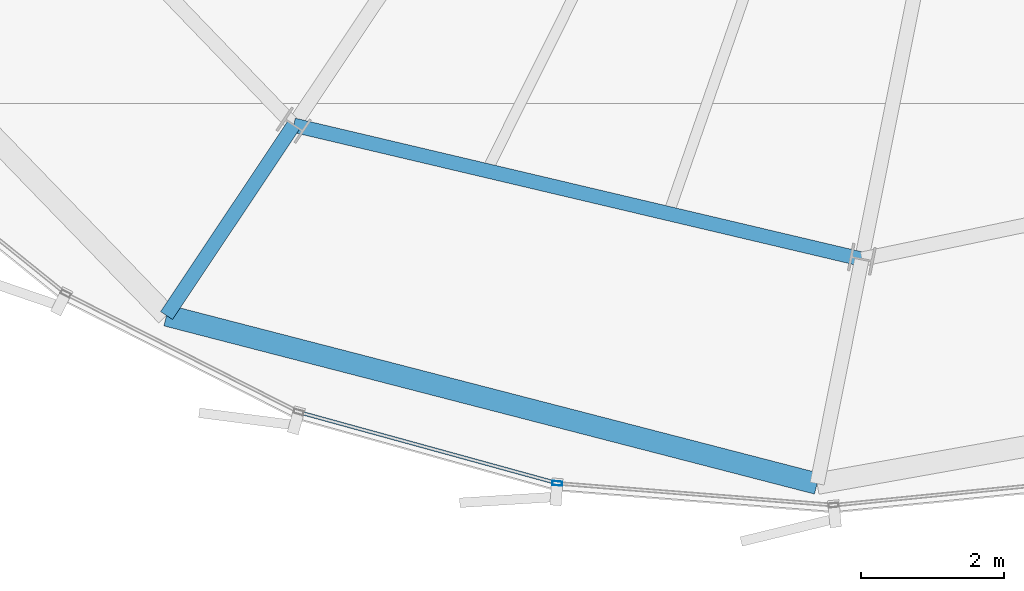
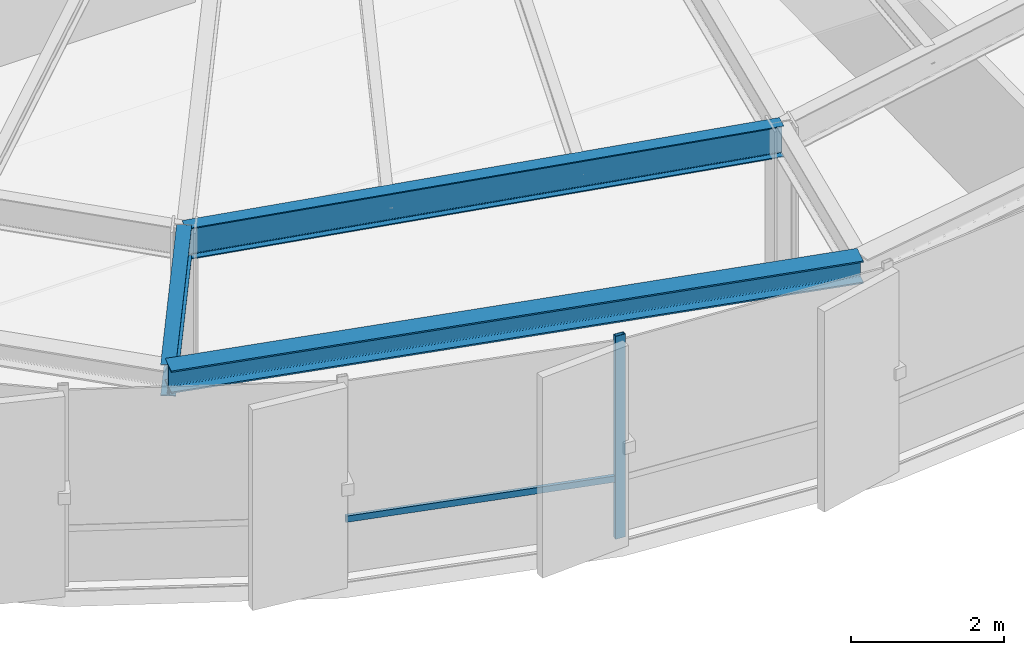
# One storey, part 3 of 34: 3 beams, 2 members, 1 element without a shape of its own.
"""IFC4 building model written with IfcOpenShell, lengths in metres."""

import ifcopenshell
import ifcopenshell.guid

model = None  # the IFC model being written
_history = None  # IfcOwnerHistory: only IFC2X3 demands one
_inside = {}  # id of a spatial element -> (the spatial element, [elements in it])
_under = {}  # id of a project, library or spatial element -> (it, [spatial elements below it])
_declared = {}  # id of a project -> (the project, [libraries it declares])
_typed = {}  # id of a type object -> (the type object, [elements of that type])
_made_of = {}  # id of a material, layer set ... -> (it, [elements and type objects made of it])


def new_model(schema):
    """Start an empty IFC model of exactly this schema.

    Asked for "IFC4X3", IfcOpenShell would pick the latest addendum, in which some entities
    have other attributes; the version numbers below select the first issue.
    IFC2X3 requires an IfcOwnerHistory on every rooted entity: one is made here for all.
    """
    global model, _history
    if schema == "IFC4X3":
        model = ifcopenshell.file(schema_version=(4, 3, 0, 0))
    else:
        model = ifcopenshell.file(schema=schema)
    _inside.clear()
    _under.clear()
    _declared.clear()
    _typed.clear()
    _made_of.clear()
    _history = None
    if model.schema == "IFC2X3":
        org = make("IfcOrganization", Name="unknown")
        user = make(
            "IfcPersonAndOrganization",
            ThePerson=make("IfcPerson", FamilyName="unknown"),
            TheOrganization=org,
        )
        app = make(
            "IfcApplication",
            ApplicationDeveloper=org,
            Version="unknown",
            ApplicationFullName="unknown",
            ApplicationIdentifier="unknown",
        )
        _history = make(
            "IfcOwnerHistory",
            OwningUser=user,
            OwningApplication=app,
            ChangeAction="ADDED",
            CreationDate=0,
        )
    return model


def make(cls, **values):
    """One entity of the class cls with the attributes given. An attribute that is None is left unset."""
    return model.create_entity(
        cls, **{name: value for name, value in values.items() if value is not None}
    )


def rooted(cls, **values):
    """An entity with a GlobalId (a new one), such as an element, a storey or a relation."""
    return make(cls, GlobalId=ifcopenshell.guid.new(), OwnerHistory=_history, **values)


def si_unit(unit_type, name, prefix=None):
    """IfcSIUnit, for example si_unit("LENGTHUNIT", "METRE", prefix="MILLI")."""
    return make("IfcSIUnit", UnitType=unit_type, Prefix=prefix, Name=name)


def assignment(units):
    """IfcUnitAssignment: the units of a project."""
    return None if units is None else make("IfcUnitAssignment", Units=units)


def point(xyz):
    """IfcCartesianPoint."""
    return None if xyz is None else make("IfcCartesianPoint", Coordinates=xyz)


def direction(xyz):
    """IfcDirection."""
    return None if xyz is None else make("IfcDirection", DirectionRatios=xyz)


def frame(location, z_axis=None, x_axis=None):
    """IfcAxis2Placement3D, a coordinate frame: its origin and axes. An axis left out is left unset."""
    return make(
        "IfcAxis2Placement3D",
        Location=point(location),
        Axis=direction(z_axis),
        RefDirection=direction(x_axis),
    )


def frame_2d(location, x_axis=None):
    """IfcAxis2Placement2D, a coordinate frame in the plane: its origin and x axis."""
    return make(
        "IfcAxis2Placement2D", Location=point(location), RefDirection=direction(x_axis)
    )


def origin():
    """The frame at (0, 0, 0) with its axes left unset."""
    return frame((0.0, 0.0, 0.0))


def origin_2d():
    """The frame at (0, 0) in the plane with its x axis left unset."""
    return frame_2d((0.0, 0.0))


def place(relative_to, where):
    """IfcLocalPlacement: puts the frame where relative to a parent placement (None: the world)."""
    return make(
        "IfcLocalPlacement", PlacementRelTo=relative_to, RelativePlacement=where
    )


def context(
    kind, dimensions, precision=None, world=None, true_north=None, identifier=None
):
    """IfcGeometricRepresentationContext, for example the 3D "Model" context."""
    return make(
        "IfcGeometricRepresentationContext",
        ContextIdentifier=identifier,
        ContextType=kind,
        CoordinateSpaceDimension=dimensions,
        Precision=precision,
        WorldCoordinateSystem=world,
        TrueNorth=true_north,
    )


def subcontext(parent, identifier, kind, view, scale=None):
    """IfcGeometricRepresentationSubContext, for example "Body" below "Model"."""
    return make(
        "IfcGeometricRepresentationSubContext",
        ContextIdentifier=identifier,
        ContextType=kind,
        ParentContext=parent,
        TargetScale=scale,
        TargetView=view,
    )


def project(units=None, contexts=None):
    """IfcProject with its units and contexts."""
    return rooted(
        "IfcProject",
        Name="project",
        RepresentationContexts=contexts,
        UnitsInContext=assignment(units),
    )


def spatial(cls, under=None, at=None, **own):
    """A site, building, storey or space (cls), placed at a placement, below another one or the project."""
    s = rooted(cls, ObjectPlacement=at, **own)
    if under is not None:
        _under.setdefault(under.id(), (under, []))[1].append(s)
    return s


def profile(cls, at=None, kind="AREA", **sizes):
    """A parametric profile (cls). Its sizes go by their IFC names, for example OverallWidth=200.0."""
    return make(cls, ProfileType=kind, Position=at, **sizes)


def hollow_rectangle(**sizes):
    """IfcRectangleHollowProfileDef."""
    return profile("IfcRectangleHollowProfileDef", **sizes)


def i_section(**sizes):
    """IfcIShapeProfileDef."""
    return profile("IfcIShapeProfileDef", **sizes)


def extrude(swept, where, along, depth):
    """IfcExtrudedAreaSolid: the profile swept, set in the frame where, extruded along a direction by depth."""
    return make(
        "IfcExtrudedAreaSolid",
        SweptArea=swept,
        Position=where,
        ExtrudedDirection=direction(along),
        Depth=depth,
    )


def shape(context_of_items, identifier, shape_type, items):
    """IfcShapeRepresentation: the items that make up one representation, for example the "Body"."""
    return make(
        "IfcShapeRepresentation",
        ContextOfItems=context_of_items,
        RepresentationIdentifier=identifier,
        RepresentationType=shape_type,
        Items=items,
    )


def source(mapping_origin, context_of_items, identifier, shape_type, items):
    """IfcRepresentationMap: a shape defined once, which mapped items show again and again."""
    return make(
        "IfcRepresentationMap",
        MappingOrigin=mapping_origin,
        MappedRepresentation=shape(context_of_items, identifier, shape_type, items),
    )


def transform(
    local_origin,
    x_axis=None,
    y_axis=None,
    z_axis=None,
    scale=None,
    scale2=None,
    scale3=None,
    uniform=True,
):
    """IfcCartesianTransformationOperator3D, or its non-uniform kind. x_axis, y_axis, z_axis: its Axis1, 2, 3."""
    if uniform:
        return make(
            "IfcCartesianTransformationOperator3D",
            Axis1=direction(x_axis),
            Axis2=direction(y_axis),
            LocalOrigin=point(local_origin),
            Scale=scale,
            Axis3=direction(z_axis),
        )
    return make(
        "IfcCartesianTransformationOperator3DnonUniform",
        Axis1=direction(x_axis),
        Axis2=direction(y_axis),
        LocalOrigin=point(local_origin),
        Scale=scale,
        Axis3=direction(z_axis),
        Scale2=scale2,
        Scale3=scale3,
    )


def mapped(mapping_source, mapping_target):
    """IfcMappedItem: shows the shape of a source again, moved by a transform."""
    return make(
        "IfcMappedItem", MappingSource=mapping_source, MappingTarget=mapping_target
    )


def material(Name=None, Category=None):
    """IfcMaterial."""
    return make("IfcMaterial", Name=Name, Category=Category)


def layer(
    of_material, thickness, ventilated=None, Name=None, Category=None, Priority=None
):
    """IfcMaterialLayer: one layer of a wall or slab, of a material (None: an air gap)."""
    return make(
        "IfcMaterialLayer",
        Material=of_material,
        LayerThickness=thickness,
        IsVentilated=ventilated,
        Name=Name,
        Category=Category,
        Priority=Priority,
    )


def layer_set(layers, Name=None):
    """IfcMaterialLayerSet."""
    return make("IfcMaterialLayerSet", MaterialLayers=layers, LayerSetName=Name)


def material_profile(
    of_material, cross_section, Name=None, Category=None, Priority=None
):
    """IfcMaterialProfile: a cross section and its material."""
    return make(
        "IfcMaterialProfile",
        Name=Name,
        Material=of_material,
        Profile=cross_section,
        Priority=Priority,
        Category=Category,
    )


def profile_set(profiles, Name=None, composite=None):
    """IfcMaterialProfileSet."""
    return make(
        "IfcMaterialProfileSet",
        Name=Name,
        MaterialProfiles=profiles,
        CompositeProfile=composite,
    )


def made_of(thing, what):
    """Note that an element or type object is made of a material, layer set ...; save() writes the relation."""
    if what is not None:
        _made_of.setdefault(what.id(), (what, []))[1].append(thing)
    return thing


def type_object(cls, material=None, **own):
    """A type object (cls), such as IfcWallType, which elements share."""
    return made_of(rooted(cls, **own), material)


def element(
    cls,
    number,
    at=None,
    inside=None,
    cuts=None,
    type_object=None,
    material=None,
    context=None,
    identifier="Body",
    shape_type=None,
    held_by="IfcProductDefinitionShape",
    body=None,
    shapes=None,
    **own,
):
    """One element of the class cls, such as IfcWall. Its Tag is "e" and its number.

    at: its placement. inside: the storey or other place that contains it. cuts: it is an
    opening in that element (IfcRelVoidsElement). A single representation is given by context,
    identifier, shape_type and body (its items); several are given by shapes. held_by: the class
    of the entity that holds the representations. save() writes the other relations.
    """
    e = rooted(cls, Tag="e%d" % number, ObjectPlacement=at, **own)
    if body is not None:
        shapes = [shape(context, identifier, shape_type, body)]
    if shapes is not None:
        e.Representation = make(held_by, Representations=shapes)
    if inside is not None:
        _inside.setdefault(inside.id(), (inside, []))[1].append(e)
    if cuts is not None:
        rooted(
            "IfcRelVoidsElement", RelatingBuildingElement=cuts, RelatedOpeningElement=e
        )
    if type_object is not None:
        _typed.setdefault(type_object.id(), (type_object, []))[1].append(e)
    return made_of(e, material)


def aggregate(whole, parts):
    """IfcRelAggregates: a whole, such as a stair, and the parts it consists of."""
    return rooted("IfcRelAggregates", RelatingObject=whole, RelatedObjects=parts)


def save(model, path):
    """Write the relations noted so far, then the file.

    IfcRelAggregates (storeys below a building ...), IfcRelContainedInSpatialStructure (elements
    in a storey), IfcRelDefinesByType, IfcRelAssociatesMaterial and IfcRelDeclares: one each for
    every whole, place, type object, material and project.
    """
    for whole, parts in _under.values():
        aggregate(whole, parts)
    for where, things in _inside.values():
        rooted(
            "IfcRelContainedInSpatialStructure",
            RelatedElements=things,
            RelatingStructure=where,
        )
    for kind, things in _typed.values():
        rooted("IfcRelDefinesByType", RelatedObjects=things, RelatingType=kind)
    for what, things in _made_of.values():
        rooted("IfcRelAssociatesMaterial", RelatedObjects=things, RelatingMaterial=what)
    for by, libraries in _declared.values():
        rooted("IfcRelDeclares", RelatingContext=by, RelatedDefinitions=libraries)
    model.write(path)


model = new_model("IFC4")

# Units and contexts
model_context = context("Model", 3, precision=1e-05, world=origin(), true_north=direction((0.0, 1.0)))
body_context = subcontext(model_context, "Body", "Model", "MODEL_VIEW")
ifc_project = project(units=[si_unit("LENGTHUNIT", "METRE"), si_unit("AREAUNIT", "SQUARE_METRE"), si_unit("VOLUMEUNIT", "CUBIC_METRE"), si_unit("PLANEANGLEUNIT", "RADIAN"), si_unit("MASSUNIT", "GRAM", prefix="KILO"), si_unit("THERMODYNAMICTEMPERATUREUNIT", "KELVIN")], contexts=[model_context])

# Site, building, storey
site_placement = place(None, origin())
site = spatial("IfcSite", under=ifc_project, at=site_placement, CompositionType="ELEMENT")
building_placement = place(site_placement, origin())
building = spatial("IfcBuilding", under=site, at=building_placement, Name="Kethvar Cultural Tower", CompositionType="ELEMENT")
storey_placement = place(building_placement, frame((0.0, 0.0, 214.89990234375)))
storey = spatial("IfcBuildingStorey", under=building, at=storey_placement, Name="L56", CompositionType="ELEMENT", Elevation=214.89990234375)

# Beams
ifc_material_1 = material(Name="Steel S355J2", Category="steel")
ifc_material_profile_1 = material_profile(ifc_material_1, i_section(OverallWidth=0.199951171875, OverallDepth=0.5, WebThickness=0.01025390625, FlangeThickness=0.01611328125, FilletRadius=0.02099609375, at=origin_2d()), Name="Steel S355J2 — IPE500")
ifc_profile_set_1 = profile_set([ifc_material_profile_1], Name="Steel S355J2 — IPE500")
beam_type_1 = type_object("IfcBeamType", Name="BM-IPE500", PredefinedType="BEAM", material=ifc_profile_set_1)
shared_shape_1 = source(origin(), body_context, "Body", "SweptSolid", [
    extrude(i_section(OverallWidth=0.199951171875, OverallDepth=0.5, WebThickness=0.01025390625, FlangeThickness=0.01611328125, FilletRadius=0.02099609375, at=origin_2d()), origin(), (0.0, 0.0, 1.0), 3.199951171875),
])
beam_1_placement = place(storey_placement, frame((34.962646484375, 10.084228515625, 2.988037109375), z_axis=(-0.555580212716, -0.831462943996, 0.0), x_axis=(0.831462943996, -0.555580212716, 0.0)))
element("IfcBeam", 1, at=beam_1_placement, inside=storey, type_object=beam_type_1, Name="L56 Perimeter Cantilever Beam RC-11", PredefinedType="BEAM", context=body_context, shape_type="MappedRepresentation", body=[
    mapped(shared_shape_1, transform((0.0, 0.0, 0.0), scale=1.0)),
])
shared_shape_2 = source(origin(), body_context, "Body", "SweptSolid", [
    extrude(i_section(OverallWidth=0.199951171875, OverallDepth=0.5, WebThickness=0.01025390625, FlangeThickness=0.01611328125, FilletRadius=0.02099609375, at=origin_2d()), origin(), (0.0, 0.0, 1.0), 8.158935546875),
])
beam_2_placement = place(storey_placement, frame((34.962646484375, 10.084228515625, 2.988037109375), z_axis=(0.973284754953, -0.229601362748, 0.0), x_axis=(0.229601362748, 0.973284754953, 0.0)))
element("IfcBeam", 2, at=beam_2_placement, inside=storey, type_object=beam_type_1, Name="L56 Column Ring Tie Beam CR-11", PredefinedType="BEAM", context=body_context, shape_type="MappedRepresentation", body=[
    mapped(shared_shape_2, transform((0.0, 0.0, 0.0), scale=1.0)),
])
ifc_material_profile_2 = material_profile(ifc_material_1, i_section(OverallWidth=0.300048828125, OverallDepth=0.360107421875, WebThickness=0.012451171875, FlangeThickness=0.0224609375, FilletRadius=0.027099609375, at=origin_2d()), Name="Steel S355J2 — HEB360")
ifc_profile_set_2 = profile_set([ifc_material_profile_2], Name="Steel S355J2 — HEB360")
beam_type_2 = type_object("IfcBeamType", Name="BM-SP360", PredefinedType="SPANDREL", material=ifc_profile_set_2)
shared_shape_3 = source(origin(), body_context, "Body", "SweptSolid", [
    extrude(i_section(OverallWidth=0.300048828125, OverallDepth=0.360107421875, WebThickness=0.012451171875, FlangeThickness=0.0224609375, FilletRadius=0.027099609375, at=origin_2d()), origin(), (0.0, 0.0, 1.0), 9.3935546875),
])
beam_3_placement = place(storey_placement, frame((33.184814453125, 7.423583984375, 3.05810546875), z_axis=(0.968171347754, -0.250288316525, 0.0), x_axis=(0.250288316525, 0.968171347754, 0.0)))
element("IfcBeam", 3, at=beam_3_placement, inside=storey, type_object=beam_type_2, Name="L56 Perimeter Spandrel Beam SP-11", PredefinedType="SPANDREL", context=body_context, shape_type="MappedRepresentation", body=[
    mapped(shared_shape_3, transform((0.0, 0.0, 0.0), scale=1.0)),
])

# Curtain wall, members
ifc_material_2 = material(Name="Aluminium 6063-T6", Category="aluminium")
ifc_layer = layer(ifc_material_2, 0.179931640625, Name="Aluminium 6063-T6", Category="aluminium")
ifc_layer_set = layer_set([ifc_layer], Name="Aluminium 6063-T6 (180 mm)")
curtain_wall_type = type_object("IfcCurtainWallType", Name="CW-SYS-04-Z34", PredefinedType="NOTDEFINED", material=ifc_layer_set)
curtain_wall_placement = place(storey_placement, origin())
curtain_wall = element("IfcCurtainWall", 4, at=curtain_wall_placement, inside=storey, type_object=curtain_wall_type, Name="L56 Curtain Wall Run 04", PredefinedType="NOTDEFINED")
ifc_material_profile_3 = material_profile(ifc_material_2, hollow_rectangle(XDim=0.06005859375, YDim=0.139892578125, WallThickness=0.0048828125, at=origin_2d()), Name="Aluminium 6063-T6 — RHS140x60x5")
ifc_profile_set_3 = profile_set([ifc_material_profile_3], Name="Aluminium 6063-T6 — RHS140x60x5")
member_type_1 = type_object("IfcMemberType", Name="CW-SYS-04-Z34-MUL", PredefinedType="MULLION", material=ifc_profile_set_3)
shared_shape_4 = source(origin(), body_context, "Body", "SweptSolid", [
    extrude(hollow_rectangle(XDim=0.06005859375, YDim=0.139892578125, WallThickness=0.0048828125, at=origin_2d()), origin(), (0.0, 0.0, 1.0), 3.239990234375),
])
member_1_placement = place(storey_placement, frame((38.64599609375, 5.077392578125, 0.0), z_axis=(0.0, 0.0, 1.0), x_axis=(0.0784242967, 0.996920071865, 0.0)))
member_1 = element("IfcMember", 5, at=member_1_placement, type_object=member_type_1, Name="CW-L56-R04 Mullion 4", PredefinedType="MULLION", context=body_context, shape_type="MappedRepresentation", body=[
    mapped(shared_shape_4, transform((0.0, 0.0, 0.0), scale=1.0)),
])
ifc_material_profile_4 = material_profile(ifc_material_2, hollow_rectangle(XDim=0.050048828125, YDim=0.10009765625, WallThickness=0.00390625, at=origin_2d()), Name="Aluminium 6063-T6 — RHS100x50x4")
ifc_profile_set_4 = profile_set([ifc_material_profile_4], Name="Aluminium 6063-T6 — RHS100x50x4")
member_type_2 = type_object("IfcMemberType", Name="CW-SYS-04-Z34-TRN", PredefinedType="USERDEFINED", material=ifc_profile_set_4)
shared_shape_5 = source(origin(), body_context, "Body", "SweptSolid", [
    extrude(hollow_rectangle(XDim=0.050048828125, YDim=0.10009765625, WallThickness=0.00390625, at=origin_2d()), origin(), (0.0, 0.0, 1.0), 3.684326171875),
])
member_2_placement = place(storey_placement, frame((35.072509765625, 6.0615234375, 0.9501953125), z_axis=(0.964248159111, -0.265000920094, 0.0), x_axis=(0.265000920094, 0.964248159111, 0.0)))
member_2 = element("IfcMember", 6, at=member_2_placement, type_object=member_type_2, Name="CW-L56-R04 Transom 3", ObjectType="TRANSOM", PredefinedType="USERDEFINED", context=body_context, shape_type="MappedRepresentation", body=[
    mapped(shared_shape_5, transform((0.0, 0.0, 0.0), scale=1.0)),
])
aggregate(curtain_wall, [member_1, member_2])

save(model, "model.ifc")
